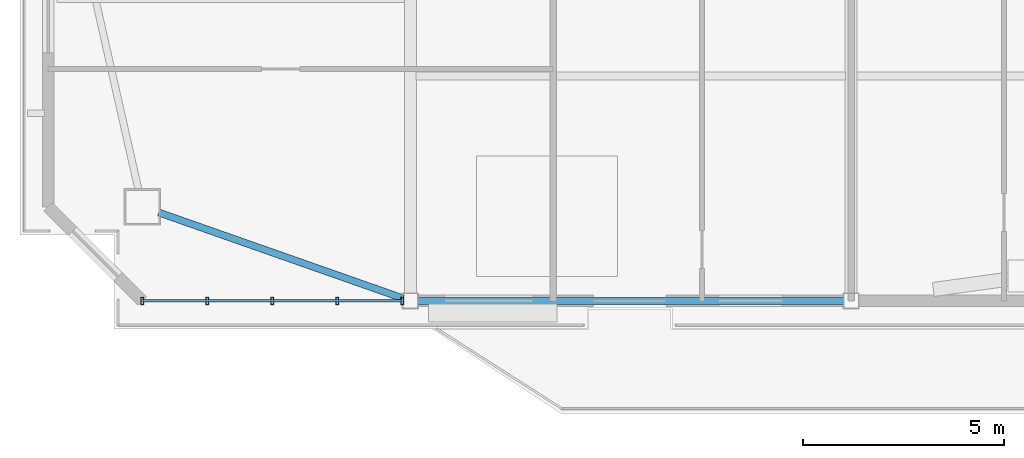
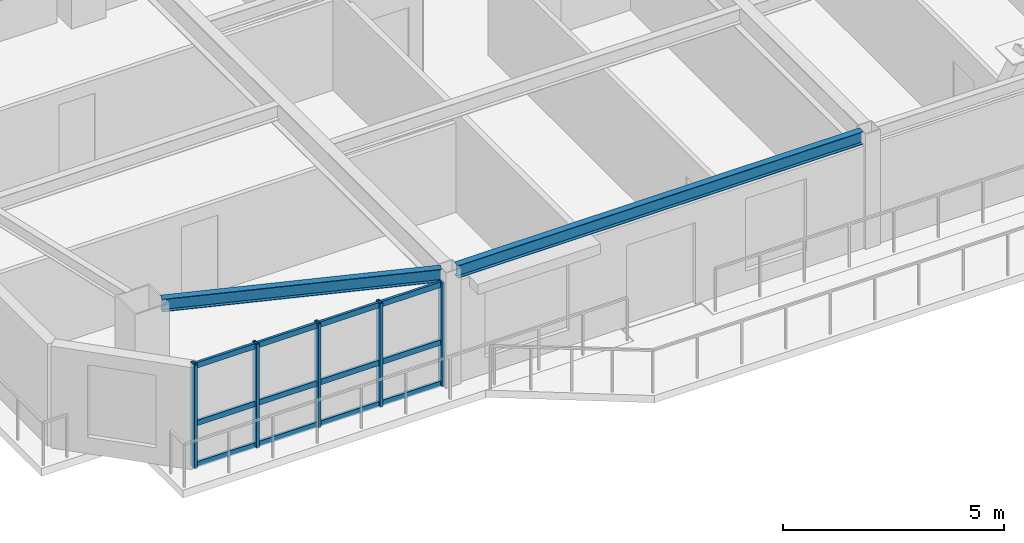
# One storey, part 2 of 14: 8 members, 2 beams, 1 element without a shape of its own.
"""IFC4 building model written with IfcOpenShell, lengths in metres."""

from ifc_helpers import new_model, si_unit, direction, frame, origin, origin_2d, place, context, subcontext, project, spatial, hollow_rectangle, i_section, extrude, source, transform, mapped, material, layer, layer_set, material_profile, profile_set, type_object, element, aggregate, save


model = new_model("IFC4")

# Units and contexts
model_context = context("Model", 3, precision=1e-05, world=origin(), true_north=direction((0.0, 1.0)))
body_context = subcontext(model_context, "Body", "Model", "MODEL_VIEW")
ifc_project = project(units=[si_unit("LENGTHUNIT", "METRE"), si_unit("AREAUNIT", "SQUARE_METRE"), si_unit("VOLUMEUNIT", "CUBIC_METRE"), si_unit("PLANEANGLEUNIT", "RADIAN"), si_unit("MASSUNIT", "GRAM", prefix="KILO")], contexts=[model_context])

# Site, building, storey
site_placement = place(None, origin())
site = spatial("IfcSite", under=ifc_project, at=site_placement, CompositionType="ELEMENT")
building_placement = place(site_placement, origin())
building = spatial("IfcBuilding", under=site, at=building_placement, Name="Giltprow Tower", CompositionType="ELEMENT")
storey_placement = place(building_placement, frame((0.0, 0.0, 317.60009765625)))
storey = spatial("IfcBuildingStorey", under=building, at=storey_placement, Name="L82", CompositionType="ELEMENT", Elevation=317.60009765625)

# Beams
ifc_material_1 = material(Name="Structural steel Q355B", Category="steel")
ifc_material_profile_1 = material_profile(ifc_material_1, i_section(OverallWidth=0.175048828125, OverallDepth=0.35009765625, WebThickness=0.007080078125, FlangeThickness=0.010986328125, at=origin_2d()), Name="HN 350x175x7x11")
ifc_profile_set_1 = profile_set([ifc_material_profile_1], Name="Structural steel Q355B")
beam_type = type_object("IfcBeamType", Name="BM-SPAN-HN350", PredefinedType="SPANDREL", material=ifc_profile_set_1)
shared_shape_1 = source(origin(), body_context, "Body", "SweptSolid", [
    extrude(i_section(OverallWidth=0.175048828125, OverallDepth=0.35009765625, WebThickness=0.007080078125, FlangeThickness=0.010986328125, at=origin_2d()), origin(), (0.0, 0.0, 1.0), 10.580078125),
])
beam_1_placement = place(storey_placement, frame((20.034912109375, 20.7041015625, 3.010009765625), z_axis=(1.0, 0.0, 0.0), x_axis=(0.0, 1.0, 0.0)))
element("IfcBeam", 1, at=beam_1_placement, inside=storey, type_object=beam_type, Name="L82 Perimeter Spandrel Beam S1-S2", PredefinedType="SPANDREL", context=body_context, shape_type="MappedRepresentation", body=[
    mapped(shared_shape_1, transform((0.0, 0.0, 0.0), x_axis=(1.0, 0.0, 0.0), y_axis=(0.0, 1.0, 0.0), z_axis=(0.0, 0.0, 1.0), scale=1.0)),
])
shared_shape_2 = source(origin(), body_context, "Body", "SweptSolid", [
    extrude(i_section(OverallWidth=0.175048828125, OverallDepth=0.35009765625, WebThickness=0.007080078125, FlangeThickness=0.010986328125, at=origin_2d()), origin(), (0.0, 0.0, 1.0), 6.435791015625),
])
beam_2_placement = place(storey_placement, frame((13.60302734375, 22.89794921875, 3.010009765625), z_axis=(0.943477453227, -0.331436713797, 0.0), x_axis=(0.331436713797, 0.943477453227, 0.0)))
element("IfcBeam", 2, at=beam_2_placement, inside=storey, type_object=beam_type, Name="L82 Perimeter Spandrel Beam MC_SW-S1", PredefinedType="SPANDREL", context=body_context, shape_type="MappedRepresentation", body=[
    mapped(shared_shape_2, transform((0.0, 0.0, 0.0), x_axis=(1.0, 0.0, 0.0), y_axis=(0.0, 1.0, 0.0), z_axis=(0.0, 0.0, 1.0), scale=1.0)),
])

# Curtain wall, members
ifc_material_2 = material(Name="Anodized bronze", Category="metal")
ifc_layer = layer(ifc_material_2, 0.179931640625, Name="Anodized bronze")
ifc_layer_set = layer_set([ifc_layer], Name="Anodized bronze")
curtain_wall_type = type_object("IfcCurtainWallType", Name="CW-RES-SKY", PredefinedType="NOTDEFINED", material=ifc_layer_set)
curtain_wall_placement = place(storey_placement, origin())
curtain_wall = element("IfcCurtainWall", 3, at=curtain_wall_placement, inside=storey, type_object=curtain_wall_type, Name="L82 South Recessed Curtain Wall 1", PredefinedType="NOTDEFINED")
ifc_material_profile_2 = material_profile(ifc_material_2, hollow_rectangle(XDim=0.074951171875, YDim=0.179931640625, WallThickness=0.008056640625, at=origin_2d()), Name="RHS 180x75x8")
ifc_profile_set_2 = profile_set([ifc_material_profile_2], Name="Anodized bronze")
member_type_1 = type_object("IfcMemberType", Name="CW-MULLION-180x75", PredefinedType="MULLION", material=ifc_profile_set_2)
shared_shape_3 = source(origin(), body_context, "Body", "SweptSolid", [
    extrude(hollow_rectangle(XDim=0.074951171875, YDim=0.179931640625, WallThickness=0.008056640625, at=origin_2d()), origin(), (0.0, 0.0, 1.0), 2.869873046875),
])
member_1_placement = place(storey_placement, frame((13.193115234375, 20.7041015625, -0.02001953125), z_axis=(0.0, 0.0, 1.0), x_axis=(1.0, 0.0, 0.0)))
member_1 = element("IfcMember", 4, at=member_1_placement, type_object=member_type_1, Name="L82 South Recessed Curtain Wall 1 Mullion 1", PredefinedType="MULLION", context=body_context, shape_type="MappedRepresentation", body=[
    mapped(shared_shape_3, transform((0.0, 0.0, 0.0), x_axis=(1.0, 0.0, 0.0), y_axis=(0.0, 1.0, 0.0), z_axis=(0.0, 0.0, 1.0), scale=1.0)),
])
member_2_placement = place(storey_placement, frame((14.806884765625, 20.7041015625, -0.02001953125), z_axis=(0.0, 0.0, 1.0), x_axis=(1.0, 0.0, 0.0)))
member_2 = element("IfcMember", 5, at=member_2_placement, type_object=member_type_1, Name="L82 South Recessed Curtain Wall 1 Mullion 2", PredefinedType="MULLION", context=body_context, shape_type="MappedRepresentation", body=[
    mapped(shared_shape_3, transform((0.0, 0.0, 0.0), x_axis=(1.0, 0.0, 0.0), y_axis=(0.0, 1.0, 0.0), z_axis=(0.0, 0.0, 1.0), scale=1.0)),
])
member_3_placement = place(storey_placement, frame((16.4208984375, 20.7041015625, -0.02001953125), z_axis=(0.0, 0.0, 1.0), x_axis=(1.0, 0.0, 0.0)))
member_3 = element("IfcMember", 6, at=member_3_placement, type_object=member_type_1, Name="L82 South Recessed Curtain Wall 1 Mullion 3", PredefinedType="MULLION", context=body_context, shape_type="MappedRepresentation", body=[
    mapped(shared_shape_3, transform((0.0, 0.0, 0.0), x_axis=(1.0, 0.0, 0.0), y_axis=(0.0, 1.0, 0.0), z_axis=(0.0, 0.0, 1.0), scale=1.0)),
])
member_4_placement = place(storey_placement, frame((18.035888671875, 20.7041015625, -0.02001953125), z_axis=(0.0, 0.0, 1.0), x_axis=(1.0, 0.0, 0.0)))
member_4 = element("IfcMember", 7, at=member_4_placement, type_object=member_type_1, Name="L82 South Recessed Curtain Wall 1 Mullion 4", PredefinedType="MULLION", context=body_context, shape_type="MappedRepresentation", body=[
    mapped(shared_shape_3, transform((0.0, 0.0, 0.0), x_axis=(1.0, 0.0, 0.0), y_axis=(0.0, 1.0, 0.0), z_axis=(0.0, 0.0, 1.0), scale=1.0)),
])
member_5_placement = place(storey_placement, frame((19.64990234375, 20.7041015625, -0.02001953125), z_axis=(0.0, 0.0, 1.0), x_axis=(1.0, 0.0, 0.0)))
member_5 = element("IfcMember", 8, at=member_5_placement, type_object=member_type_1, Name="L82 South Recessed Curtain Wall 1 Mullion 5", PredefinedType="MULLION", context=body_context, shape_type="MappedRepresentation", body=[
    mapped(shared_shape_3, transform((0.0, 0.0, 0.0), x_axis=(1.0, 0.0, 0.0), y_axis=(0.0, 1.0, 0.0), z_axis=(0.0, 0.0, 1.0), scale=1.0)),
])
ifc_material_profile_3 = material_profile(ifc_material_2, hollow_rectangle(XDim=0.06494140625, YDim=0.14990234375, WallThickness=0.006103515625, at=origin_2d()), Name="RHS 150x65x6")
ifc_profile_set_3 = profile_set([ifc_material_profile_3], Name="Anodized bronze")
member_type_2 = type_object("IfcMemberType", Name="CW-TRANSOM-150x65", PredefinedType="USERDEFINED", material=ifc_profile_set_3)
shared_shape_4 = source(origin(), body_context, "Body", "SweptSolid", [
    extrude(hollow_rectangle(XDim=0.06494140625, YDim=0.14990234375, WallThickness=0.006103515625, at=origin_2d()), origin(), (0.0, 0.0, 1.0), 6.456787109375),
])
member_6_placement = place(storey_placement, frame((13.193115234375, 20.7041015625, 0.039794921875), z_axis=(1.0, 0.0, 0.0), x_axis=(0.0, 1.0, 0.0)))
member_6 = element("IfcMember", 9, at=member_6_placement, type_object=member_type_2, Name="L82 South Recessed Curtain Wall 1 Transom 1", ObjectType="TRANSOM", PredefinedType="USERDEFINED", context=body_context, shape_type="MappedRepresentation", body=[
    mapped(shared_shape_4, transform((0.0, 0.0, 0.0), x_axis=(1.0, 0.0, 0.0), y_axis=(0.0, 1.0, 0.0), z_axis=(0.0, 0.0, 1.0), scale=1.0)),
])
member_7_placement = place(storey_placement, frame((13.193115234375, 20.7041015625, 1.181884765625), z_axis=(1.0, 0.0, 0.0), x_axis=(0.0, 1.0, 0.0)))
member_7 = element("IfcMember", 10, at=member_7_placement, type_object=member_type_2, Name="L82 South Recessed Curtain Wall 1 Transom 2", ObjectType="TRANSOM", PredefinedType="USERDEFINED", context=body_context, shape_type="MappedRepresentation", body=[
    mapped(shared_shape_4, transform((0.0, 0.0, 0.0), x_axis=(1.0, 0.0, 0.0), y_axis=(0.0, 1.0, 0.0), z_axis=(0.0, 0.0, 1.0), scale=1.0)),
])
member_8_placement = place(storey_placement, frame((13.193115234375, 20.7041015625, 2.77490234375), z_axis=(1.0, 0.0, 0.0), x_axis=(0.0, 1.0, 0.0)))
member_8 = element("IfcMember", 11, at=member_8_placement, type_object=member_type_2, Name="L82 South Recessed Curtain Wall 1 Transom 3", ObjectType="TRANSOM", PredefinedType="USERDEFINED", context=body_context, shape_type="MappedRepresentation", body=[
    mapped(shared_shape_4, transform((0.0, 0.0, 0.0), x_axis=(1.0, 0.0, 0.0), y_axis=(0.0, 1.0, 0.0), z_axis=(0.0, 0.0, 1.0), scale=1.0)),
])
aggregate(curtain_wall, [member_1, member_2, member_3, member_4, member_5, member_6, member_7, member_8])

save(model, "model.ifc")
